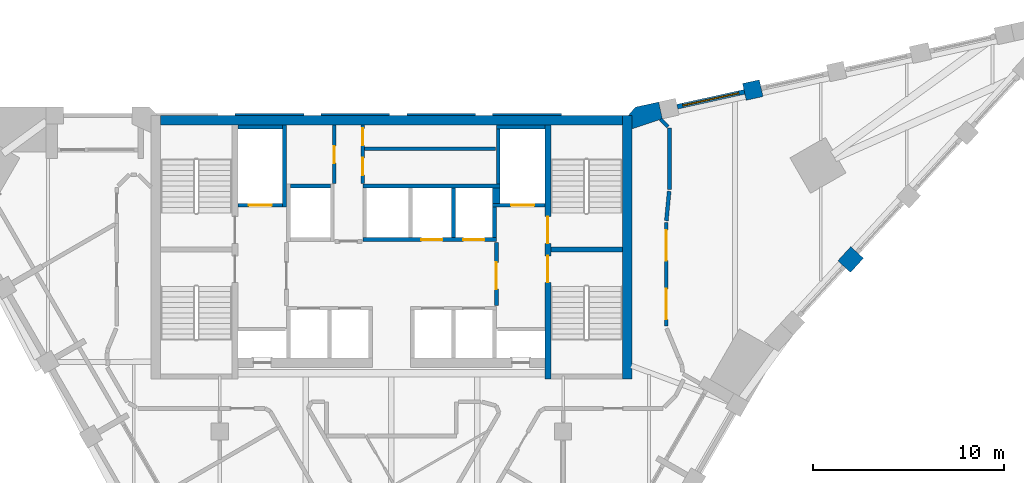
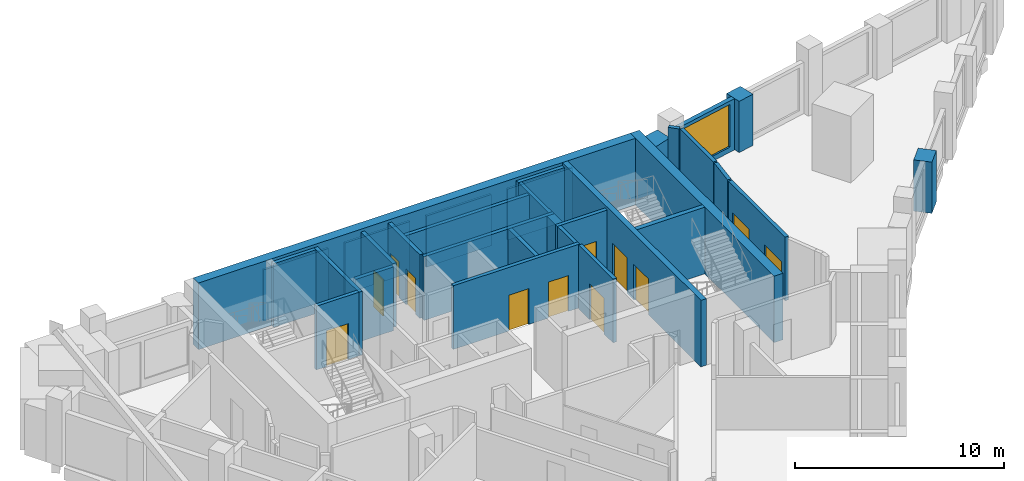
# One storey, part 6 of 8: 32 walls, 12 doors, 1 window, 13 openings.
"""IFC4 building model written with IfcOpenShell, lengths in metres."""

import ifcopenshell
import ifcopenshell.guid

model = None  # the IFC model being written
_history = None  # IfcOwnerHistory: only IFC2X3 demands one
_inside = {}  # id of a spatial element -> (the spatial element, [elements in it])
_under = {}  # id of a project, library or spatial element -> (it, [spatial elements below it])
_declared = {}  # id of a project -> (the project, [libraries it declares])
_typed = {}  # id of a type object -> (the type object, [elements of that type])
_made_of = {}  # id of a material, layer set ... -> (it, [elements and type objects made of it])


def new_model(schema):
    """Start an empty IFC model of exactly this schema.

    Asked for "IFC4X3", IfcOpenShell would pick the latest addendum, in which some entities
    have other attributes; the version numbers below select the first issue.
    IFC2X3 requires an IfcOwnerHistory on every rooted entity: one is made here for all.
    """
    global model, _history
    if schema == "IFC4X3":
        model = ifcopenshell.file(schema_version=(4, 3, 0, 0))
    else:
        model = ifcopenshell.file(schema=schema)
    _inside.clear()
    _under.clear()
    _declared.clear()
    _typed.clear()
    _made_of.clear()
    _history = None
    if model.schema == "IFC2X3":
        org = make("IfcOrganization", Name="unknown")
        user = make(
            "IfcPersonAndOrganization",
            ThePerson=make("IfcPerson", FamilyName="unknown"),
            TheOrganization=org,
        )
        app = make(
            "IfcApplication",
            ApplicationDeveloper=org,
            Version="unknown",
            ApplicationFullName="unknown",
            ApplicationIdentifier="unknown",
        )
        _history = make(
            "IfcOwnerHistory",
            OwningUser=user,
            OwningApplication=app,
            ChangeAction="ADDED",
            CreationDate=0,
        )
    return model


def make(cls, **values):
    """One entity of the class cls with the attributes given. An attribute that is None is left unset."""
    return model.create_entity(
        cls, **{name: value for name, value in values.items() if value is not None}
    )


def rooted(cls, **values):
    """An entity with a GlobalId (a new one), such as an element, a storey or a relation."""
    return make(cls, GlobalId=ifcopenshell.guid.new(), OwnerHistory=_history, **values)


def si_unit(unit_type, name, prefix=None):
    """IfcSIUnit, for example si_unit("LENGTHUNIT", "METRE", prefix="MILLI")."""
    return make("IfcSIUnit", UnitType=unit_type, Prefix=prefix, Name=name)


def assignment(units):
    """IfcUnitAssignment: the units of a project."""
    return None if units is None else make("IfcUnitAssignment", Units=units)


def point(xyz):
    """IfcCartesianPoint."""
    return None if xyz is None else make("IfcCartesianPoint", Coordinates=xyz)


def direction(xyz):
    """IfcDirection."""
    return None if xyz is None else make("IfcDirection", DirectionRatios=xyz)


def frame(location, z_axis=None, x_axis=None):
    """IfcAxis2Placement3D, a coordinate frame: its origin and axes. An axis left out is left unset."""
    return make(
        "IfcAxis2Placement3D",
        Location=point(location),
        Axis=direction(z_axis),
        RefDirection=direction(x_axis),
    )


def frame_2d(location, x_axis=None):
    """IfcAxis2Placement2D, a coordinate frame in the plane: its origin and x axis."""
    return make(
        "IfcAxis2Placement2D", Location=point(location), RefDirection=direction(x_axis)
    )


def origin():
    """The frame at (0, 0, 0) with its axes left unset."""
    return frame((0.0, 0.0, 0.0))


def place(relative_to, where):
    """IfcLocalPlacement: puts the frame where relative to a parent placement (None: the world)."""
    return make(
        "IfcLocalPlacement", PlacementRelTo=relative_to, RelativePlacement=where
    )


def context(
    kind, dimensions, precision=None, world=None, true_north=None, identifier=None
):
    """IfcGeometricRepresentationContext, for example the 3D "Model" context."""
    return make(
        "IfcGeometricRepresentationContext",
        ContextIdentifier=identifier,
        ContextType=kind,
        CoordinateSpaceDimension=dimensions,
        Precision=precision,
        WorldCoordinateSystem=world,
        TrueNorth=true_north,
    )


def subcontext(parent, identifier, kind, view, scale=None):
    """IfcGeometricRepresentationSubContext, for example "Body" below "Model"."""
    return make(
        "IfcGeometricRepresentationSubContext",
        ContextIdentifier=identifier,
        ContextType=kind,
        ParentContext=parent,
        TargetScale=scale,
        TargetView=view,
    )


def project(units=None, contexts=None):
    """IfcProject with its units and contexts."""
    return rooted(
        "IfcProject",
        Name="project",
        RepresentationContexts=contexts,
        UnitsInContext=assignment(units),
    )


def spatial(cls, under=None, at=None, **own):
    """A site, building, storey or space (cls), placed at a placement, below another one or the project."""
    s = rooted(cls, ObjectPlacement=at, **own)
    if under is not None:
        _under.setdefault(under.id(), (under, []))[1].append(s)
    return s


def polyline(points):
    """IfcPolyline through the points."""
    return make("IfcPolyline", Points=[point(p) for p in points])


def profile(cls, at=None, kind="AREA", **sizes):
    """A parametric profile (cls). Its sizes go by their IFC names, for example OverallWidth=200.0."""
    return make(cls, ProfileType=kind, Position=at, **sizes)


def rectangle(**sizes):
    """IfcRectangleProfileDef."""
    return profile("IfcRectangleProfileDef", **sizes)


def outline(outer, holes=None, kind="AREA"):
    """IfcArbitraryClosedProfileDef: a profile drawn as a closed curve; with holes, ...WithVoids."""
    if holes is None:
        return make("IfcArbitraryClosedProfileDef", ProfileType=kind, OuterCurve=outer)
    return make(
        "IfcArbitraryProfileDefWithVoids",
        ProfileType=kind,
        OuterCurve=outer,
        InnerCurves=holes,
    )


def extrude(swept, where, along, depth):
    """IfcExtrudedAreaSolid: the profile swept, set in the frame where, extruded along a direction by depth."""
    return make(
        "IfcExtrudedAreaSolid",
        SweptArea=swept,
        Position=where,
        ExtrudedDirection=direction(along),
        Depth=depth,
    )


def shape(context_of_items, identifier, shape_type, items):
    """IfcShapeRepresentation: the items that make up one representation, for example the "Body"."""
    return make(
        "IfcShapeRepresentation",
        ContextOfItems=context_of_items,
        RepresentationIdentifier=identifier,
        RepresentationType=shape_type,
        Items=items,
    )


def material(Name=None, Category=None):
    """IfcMaterial."""
    return make("IfcMaterial", Name=Name, Category=Category)


def layer(
    of_material, thickness, ventilated=None, Name=None, Category=None, Priority=None
):
    """IfcMaterialLayer: one layer of a wall or slab, of a material (None: an air gap)."""
    return make(
        "IfcMaterialLayer",
        Material=of_material,
        LayerThickness=thickness,
        IsVentilated=ventilated,
        Name=Name,
        Category=Category,
        Priority=Priority,
    )


def layer_set(layers, Name=None):
    """IfcMaterialLayerSet."""
    return make("IfcMaterialLayerSet", MaterialLayers=layers, LayerSetName=Name)


def made_of(thing, what):
    """Note that an element or type object is made of a material, layer set ...; save() writes the relation."""
    if what is not None:
        _made_of.setdefault(what.id(), (what, []))[1].append(thing)
    return thing


def type_object(cls, material=None, **own):
    """A type object (cls), such as IfcWallType, which elements share."""
    return made_of(rooted(cls, **own), material)


def element(
    cls,
    number,
    at=None,
    inside=None,
    cuts=None,
    type_object=None,
    material=None,
    context=None,
    identifier="Body",
    shape_type=None,
    held_by="IfcProductDefinitionShape",
    body=None,
    shapes=None,
    **own,
):
    """One element of the class cls, such as IfcWall. Its Tag is "e" and its number.

    at: its placement. inside: the storey or other place that contains it. cuts: it is an
    opening in that element (IfcRelVoidsElement). A single representation is given by context,
    identifier, shape_type and body (its items); several are given by shapes. held_by: the class
    of the entity that holds the representations. save() writes the other relations.
    """
    e = rooted(cls, Tag="e%d" % number, ObjectPlacement=at, **own)
    if body is not None:
        shapes = [shape(context, identifier, shape_type, body)]
    if shapes is not None:
        e.Representation = make(held_by, Representations=shapes)
    if inside is not None:
        _inside.setdefault(inside.id(), (inside, []))[1].append(e)
    if cuts is not None:
        rooted(
            "IfcRelVoidsElement", RelatingBuildingElement=cuts, RelatedOpeningElement=e
        )
    if type_object is not None:
        _typed.setdefault(type_object.id(), (type_object, []))[1].append(e)
    return made_of(e, material)


def fill(opening, filler):
    """IfcRelFillsElement: the door or window that sits in an opening."""
    return rooted(
        "IfcRelFillsElement",
        RelatingOpeningElement=opening,
        RelatedBuildingElement=filler,
    )


def aggregate(whole, parts):
    """IfcRelAggregates: a whole, such as a stair, and the parts it consists of."""
    return rooted("IfcRelAggregates", RelatingObject=whole, RelatedObjects=parts)


def save(model, path):
    """Write the relations noted so far, then the file.

    IfcRelAggregates (storeys below a building ...), IfcRelContainedInSpatialStructure (elements
    in a storey), IfcRelDefinesByType, IfcRelAssociatesMaterial and IfcRelDeclares: one each for
    every whole, place, type object, material and project.
    """
    for whole, parts in _under.values():
        aggregate(whole, parts)
    for where, things in _inside.values():
        rooted(
            "IfcRelContainedInSpatialStructure",
            RelatedElements=things,
            RelatingStructure=where,
        )
    for kind, things in _typed.values():
        rooted("IfcRelDefinesByType", RelatedObjects=things, RelatingType=kind)
    for what, things in _made_of.values():
        rooted("IfcRelAssociatesMaterial", RelatedObjects=things, RelatingMaterial=what)
    for by, libraries in _declared.values():
        rooted("IfcRelDeclares", RelatingContext=by, RelatedDefinitions=libraries)
    model.write(path)


model = new_model("IFC4")

# Units and contexts
model_context = context("Model", 3, precision=1e-05, world=origin(), true_north=direction((0.0, 1.0)))
body_context = subcontext(model_context, "Body", "Model", "MODEL_VIEW")
ifc_project = project(units=[si_unit("LENGTHUNIT", "METRE"), si_unit("AREAUNIT", "SQUARE_METRE"), si_unit("VOLUMEUNIT", "CUBIC_METRE"), si_unit("PLANEANGLEUNIT", "RADIAN"), si_unit("MASSUNIT", "GRAM", prefix="KILO")], contexts=[model_context])

# Site, building, storey
site_placement = place(None, origin())
site = spatial("IfcSite", under=ifc_project, at=site_placement, CompositionType="ELEMENT")
building_placement = place(site_placement, origin())
building = spatial("IfcBuilding", under=site, at=building_placement, Name="Calabash Gate Tower", CompositionType="ELEMENT")
storey_placement = place(building_placement, frame((0.0, 0.0, 279.39990234375)))
storey = spatial("IfcBuildingStorey", under=building, at=storey_placement, Name="L67", CompositionType="ELEMENT", Elevation=279.39990234375)

# Walls
ifc_material_1 = material(Name="Terracotta brick masonry, exposed face", Category="masonry")
ifc_layer_1 = layer(ifc_material_1, 0.89990234375)
ifc_layer_set_1 = layer_set([ifc_layer_1], Name="Brick end wall 900")
wall_type_1 = type_object("IfcWallType", Name="Brick end wall 900", PredefinedType="SOLIDWALL", material=ifc_layer_set_1)
wall_1_placement = place(storey_placement, frame((23.728515625, 11.135009765625, 0.0), z_axis=(0.0, 0.0, 1.0), x_axis=(0.674788120713, 0.738011512203, 0.0)))
element("IfcWall", 1, at=wall_1_placement, inside=storey, type_object=wall_type_1, Name="Brick pier S20 wedge3.1", PredefinedType="SOLIDWALL", context=body_context, shape_type="SweptSolid", body=[
    extrude(rectangle(XDim=1.00390625, YDim=0.89990234375, at=frame_2d((0.501953125, 0.0))), origin(), (0.0, 0.0, 1.0), 3.0),
])
wall_2_placement = place(storey_placement, frame((18.4990234375, 20.2919921875, 0.0), z_axis=(0.0, 0.0, 1.0), x_axis=(0.976473402733, 0.215637876437, 0.0)))
element("IfcWall", 2, at=wall_2_placement, inside=storey, type_object=wall_type_1, Name="Brick pier S20 wedge5.3", PredefinedType="SOLIDWALL", context=body_context, shape_type="SweptSolid", body=[
    extrude(rectangle(XDim=0.900146484375, YDim=0.89990234375, at=frame_2d((0.4501953125, 0.0))), origin(), (0.0, 0.0, 1.0), 3.0),
])
wall_3_placement = place(storey_placement, origin())
element("IfcWall", 3, at=wall_3_placement, inside=storey, type_object=wall_type_1, Name="Brick end wall S20 3", PredefinedType="SOLIDWALL", context=body_context, shape_type="SweptSolid", body=[
    extrude(outline(polyline([(14.201416015625, 18.883056640625), (14.0078125, 19.761962890625), (12.784423828125, 19.491943359375), (12.410400390625, 19.052490234375), (12.60009765625, 19.052490234375), (12.60009765625, 18.351806640625), (14.201416015625, 18.883056640625)])), origin(), (0.0, 0.0, 1.0), 3.0),
])
ifc_material_2 = material(Name="Concrete C60/75", Category="concrete")
ifc_layer_2 = layer(ifc_material_2, 0.25)
ifc_layer_set_2 = layer_set([ifc_layer_2], Name="Core wall 250 Concrete C60/75")
wall_type_2 = type_object("IfcWallType", Name="Core wall 250 Concrete C60/75", PredefinedType="SHEAR", material=ifc_layer_set_2)
wall_4_placement = place(storey_placement, frame((8.35009765625, 12.027587890625, 0.0), z_axis=(0.0, 0.0, 1.0), x_axis=(1.0, 0.0, 0.0)))
element("IfcWall", 4, at=wall_4_placement, inside=storey, type_object=wall_type_2, Name="Core wall Z5-MIDE L67", PredefinedType="SHEAR", context=body_context, shape_type="SweptSolid", body=[
    extrude(rectangle(XDim=3.75, YDim=0.25, at=frame_2d((1.875, 0.0))), origin(), (0.0, 0.0, 1.0), 3.900146484375),
])

# Wall, openings, doors
ifc_material_3 = material(Name="Concrete C60/75", Category="concrete")
ifc_layer_3 = layer(ifc_material_3, 0.300048828125)
ifc_layer_set_3 = layer_set([ifc_layer_3], Name="Core wall 300 Concrete C60/75")
wall_type_3 = type_object("IfcWallType", Name="Core wall 300 Concrete C60/75", PredefinedType="SHEAR", material=ifc_layer_set_3)
wall_5_placement = place(storey_placement, frame((8.199951171875, 5.252685546875, 0.0), z_axis=(0.0, 0.0, 1.0), x_axis=(0.0, 1.0, 0.0)))
wall_5 = element("IfcWall", 5, at=wall_5_placement, inside=storey, type_object=wall_type_3, Name="Core wall Z5-PARTE L67", PredefinedType="SHEAR", context=body_context, shape_type="SweptSolid", body=[
    extrude(rectangle(XDim=13.2998046875, YDim=0.300048828125, at=frame_2d((6.64990234375, 0.0))), origin(), (0.0, 0.0, 1.0), 3.900146484375),
])
opening_1_placement = place(wall_5_placement, frame((7.10009765625, 0.0, 0.0)))
opening_1 = element("IfcOpeningElement", 6, at=opening_1_placement, cuts=wall_5, Name="Opening O12-011", PredefinedType="OPENING", context=body_context, shape_type="SweptSolid", body=[
    extrude(rectangle(XDim=1.39990234375, YDim=2.10009765625, at=frame_2d((0.699951171875, 1.050048828125))), frame((0.0, 0.159912109375, 0.0), z_axis=(0.0, -1.0, 0.0), x_axis=(1.0, 0.0, 0.0)), (0.0, 0.0, 1.0), 0.320068359375),
])
opening_2_placement = place(wall_5_placement, frame((5.050048828125, 0.0, 0.0)))
opening_2 = element("IfcOpeningElement", 7, at=opening_2_placement, cuts=wall_5, Name="Opening O12-012", PredefinedType="OPENING", context=body_context, shape_type="SweptSolid", body=[
    extrude(rectangle(XDim=1.39990234375, YDim=2.10009765625, at=frame_2d((0.699951171875, 1.050048828125))), frame((0.0, 0.159912109375, 0.0), z_axis=(0.0, -1.0, 0.0), x_axis=(1.0, 0.0, 0.0)), (0.0, 0.0, 1.0), 0.320068359375),
])
ifc_material_4 = material(Name="Steel fire door set with fire-resisting glazing", Category="steel")
door_type_1 = type_object("IfcDoorType", Name="Fire door D05 1400x2100 FD90", OperationType="NOTDEFINED", PredefinedType="DOOR", material=ifc_material_4)
door_1_placement = place(opening_1_placement, origin())
door_1 = element("IfcDoor", 8, at=door_1_placement, inside=storey, type_object=door_type_1, Name="Exit stair door ST3", OperationType="SINGLE_SWING_RIGHT", OverallHeight=2.10009765625, OverallWidth=1.39990234375, PredefinedType="DOOR", context=body_context, shape_type="SweptSolid", body=[
    extrude(rectangle(XDim=1.39990234375, YDim=2.10009765625, at=frame_2d((0.699951171875, 1.050048828125))), frame((0.0, 0.02490234375, 0.0), z_axis=(0.0, -1.0, 0.0), x_axis=(1.0, 0.0, 0.0)), (0.0, 0.0, 1.0), 0.050048828125),
])
fill(opening_1, door_1)
door_2_placement = place(opening_2_placement, origin())
door_2 = element("IfcDoor", 9, at=door_2_placement, inside=storey, type_object=door_type_1, Name="Exit stair door ST4", OperationType="SINGLE_SWING_LEFT", OverallHeight=2.10009765625, OverallWidth=1.39990234375, PredefinedType="DOOR", context=body_context, shape_type="SweptSolid", body=[
    extrude(rectangle(XDim=1.39990234375, YDim=2.10009765625, at=frame_2d((0.699951171875, 1.050048828125))), frame((0.0, 0.02490234375, 0.0), z_axis=(0.0, -1.0, 0.0), x_axis=(1.0, 0.0, 0.0)), (0.0, 0.0, 1.0), 0.050048828125),
])
fill(opening_2, door_2)

# Walls
ifc_material_5 = material(Name="Concrete C60/75", Category="concrete")
ifc_layer_4 = layer(ifc_material_5, 0.5)
ifc_layer_set_4 = layer_set([ifc_layer_4], Name="Core wall 500 Concrete C60/75")
wall_type_4 = type_object("IfcWallType", Name="Core wall 500 Concrete C60/75", PredefinedType="SHEAR", material=ifc_layer_set_4)
wall_6_placement = place(storey_placement, frame((-12.10009765625, 18.802490234375, 0.0), z_axis=(0.0, 0.0, 1.0), x_axis=(1.0, 0.0, 0.0)))
element("IfcWall", 10, at=wall_6_placement, inside=storey, type_object=wall_type_4, Name="Core wall Z5-N L67", PredefinedType="SHEAR", context=body_context, shape_type="SweptSolid", body=[
    extrude(rectangle(XDim=24.2001953125, YDim=0.5, at=frame_2d((12.10009765625, 0.0))), origin(), (0.0, 0.0, 1.0), 3.900146484375),
])
wall_7_placement = place(storey_placement, frame((12.35009765625, 5.252685546875, 0.0), z_axis=(0.0, 0.0, 1.0), x_axis=(0.0, 1.0, 0.0)))
element("IfcWall", 11, at=wall_7_placement, inside=storey, type_object=wall_type_4, Name="Core wall Z5-COLE L67", PredefinedType="SHEAR", context=body_context, shape_type="SweptSolid", body=[
    extrude(rectangle(XDim=13.7998046875, YDim=0.5, at=frame_2d((6.89990234375, 0.0))), origin(), (0.0, 0.0, 1.0), 3.900146484375),
])

# Wall, openings, doors
ifc_material_6 = material(Name="Gypsum board on steel studs, mineral wool", Category="steel")
ifc_layer_5 = layer(ifc_material_6, 0.199951171875)
ifc_layer_set_5 = layer_set([ifc_layer_5], Name="Partition 200 gypsum board EI 60")
wall_type_5 = type_object("IfcWallType", Name="Partition 200 gypsum board EI 60", PredefinedType="PARTITIONING", material=ifc_layer_set_5)
wall_8_placement = place(storey_placement, frame((14.400390625, 8.017333984375, 0.0), z_axis=(0.0, 0.0, 1.0), x_axis=(0.0, 1.0, 0.0)))
wall_8 = element("IfcWall", 12, at=wall_8_placement, inside=storey, type_object=wall_type_5, Name="Partition", PredefinedType="PARTITIONING", context=body_context, shape_type="SweptSolid", body=[
    extrude(rectangle(XDim=5.419189453125, YDim=0.199951171875, at=frame_2d((2.70947265625, 0.0))), origin(), (0.0, 0.0, 1.0), 3.72998046875),
])
opening_3_placement = place(wall_8_placement, frame((3.435302734375, 0.0, 0.0)))
opening_3 = element("IfcOpeningElement", 13, at=opening_3_placement, cuts=wall_8, Name="Opening 67-68-006", PredefinedType="OPENING", context=body_context, shape_type="SweptSolid", body=[
    extrude(rectangle(XDim=1.60009765625, YDim=2.10009765625, at=frame_2d((0.800048828125, 1.050048828125))), frame((0.0, 0.10986328125, 0.0), z_axis=(0.0, -1.0, 0.0), x_axis=(1.0, 0.0, 0.0)), (0.0, 0.0, 1.0), 0.219970703125),
])
opening_4_placement = place(wall_8_placement, frame((0.35009765625, 0.0, 0.0)))
opening_4 = element("IfcOpeningElement", 14, at=opening_4_placement, cuts=wall_8, Name="Opening 67-68-007", PredefinedType="OPENING", context=body_context, shape_type="SweptSolid", body=[
    extrude(rectangle(XDim=1.60009765625, YDim=2.10009765625, at=frame_2d((0.800048828125, 1.050048828125))), frame((0.0, 0.10986328125, 0.0), z_axis=(0.0, -1.0, 0.0), x_axis=(1.0, 0.0, 0.0)), (0.0, 0.0, 1.0), 0.219970703125),
])
ifc_material_7 = material(Name="Steel fire door set with fire-resisting glazing", Category="steel")
door_type_2 = type_object("IfcDoorType", Name="LD1 Lounge double door 1600x2100", OperationType="NOTDEFINED", PredefinedType="DOOR", material=ifc_material_7)
door_3_placement = place(opening_3_placement, origin())
door_3 = element("IfcDoor", 15, at=door_3_placement, inside=storey, type_object=door_type_2, Name="Lounge double door", OperationType="DOUBLE_DOOR_SINGLE_SWING", OverallHeight=2.10009765625, OverallWidth=1.60009765625, PredefinedType="DOOR", context=body_context, shape_type="SweptSolid", body=[
    extrude(rectangle(XDim=1.60009765625, YDim=2.10009765625, at=frame_2d((0.800048828125, 1.050048828125))), frame((0.0, 0.02490234375, 0.0), z_axis=(0.0, -1.0, 0.0), x_axis=(1.0, 0.0, 0.0)), (0.0, 0.0, 1.0), 0.050048828125),
])
fill(opening_3, door_3)
door_4_placement = place(opening_4_placement, origin())
door_4 = element("IfcDoor", 16, at=door_4_placement, inside=storey, type_object=door_type_2, Name="Lounge double door", OperationType="DOUBLE_DOOR_SINGLE_SWING", OverallHeight=2.10009765625, OverallWidth=1.60009765625, PredefinedType="DOOR", context=body_context, shape_type="SweptSolid", body=[
    extrude(rectangle(XDim=1.60009765625, YDim=2.10009765625, at=frame_2d((0.800048828125, 1.050048828125))), frame((0.0, 0.02490234375, 0.0), z_axis=(0.0, -1.0, 0.0), x_axis=(1.0, 0.0, 0.0)), (0.0, 0.0, 1.0), 0.050048828125),
])
fill(opening_4, door_4)

# Walls
wall_9_placement = place(storey_placement, frame((14.409912109375, 13.5361328125, 0.0), z_axis=(0.0, 0.0, 1.0), x_axis=(0.094453682086, 0.9955292572, 0.0)))
element("IfcWall", 17, at=wall_9_placement, inside=storey, type_object=wall_type_5, Name="Partition", PredefinedType="PARTITIONING", context=body_context, shape_type="SweptSolid", body=[
    extrude(rectangle(XDim=1.555908203125, YDim=0.199951171875, at=frame_2d((0.77783203125, 0.0))), origin(), (0.0, 0.0, 1.0), 3.72998046875),
])
wall_10_placement = place(storey_placement, frame((14.566162109375, 18.392578125, 0.0), z_axis=(0.0, 0.0, 1.0), x_axis=(0.0, -1.0, 0.0)))
element("IfcWall", 18, at=wall_10_placement, inside=storey, type_object=wall_type_5, Name="Partition", PredefinedType="PARTITIONING", context=body_context, shape_type="SweptSolid", body=[
    extrude(rectangle(XDim=3.2080078125, YDim=0.199951171875, at=frame_2d((1.60400390625, 0.0))), origin(), (0.0, 0.0, 1.0), 3.72998046875),
])
wall_11_placement = place(storey_placement, frame((14.107177734375, 18.851806640625, 0.0), z_axis=(0.0, 0.0, 1.0), x_axis=(0.707106781187, -0.707106781187, 0.0)))
element("IfcWall", 19, at=wall_11_placement, inside=storey, type_object=wall_type_5, Name="Partition", PredefinedType="PARTITIONING", context=body_context, shape_type="SweptSolid", body=[
    extrude(rectangle(XDim=0.54931640625, YDim=0.199951171875, at=frame_2d((0.274658203125, 0.0))), origin(), (0.0, 0.0, 1.0), 3.72998046875),
])

# Wall, opening, window
ifc_material_8 = material(Name="Aluminium framed window wall with insulated spandrel", Category="aluminium")
ifc_layer_6 = layer(ifc_material_8, 0.25)
ifc_layer_set_6 = layer_set([ifc_layer_6], Name="Prow window wall 250")
wall_type_6 = type_object("IfcWallType", Name="Prow window wall 250", PredefinedType="ELEMENTEDWALL", material=ifc_layer_set_6)
wall_12_placement = place(storey_placement, frame((18.4990234375, 20.2919921875, 0.0), z_axis=(0.0, 0.0, 1.0), x_axis=(-0.976513072969, -0.215458159096, 0.0)))
wall_12 = element("IfcWall", 20, at=wall_12_placement, inside=storey, type_object=wall_type_6, Name="Prow window wall S20 wedge5.4", PredefinedType="ELEMENTEDWALL", context=body_context, shape_type="SweptSolid", body=[
    extrude(rectangle(XDim=3.599853515625, YDim=0.25, at=frame_2d((1.7998046875, 0.0))), origin(), (0.0, 0.0, 1.0), 3.0),
])
opening_5_placement = place(wall_12_placement, frame((0.300048828125, 0.0, 0.300048828125)))
opening_5 = element("IfcOpeningElement", 21, at=opening_5_placement, cuts=wall_12, Name="Opening WP2", PredefinedType="OPENING", context=body_context, shape_type="SweptSolid", body=[
    extrude(rectangle(XDim=3.0, YDim=2.5, at=frame_2d((1.5, 1.25))), frame((0.0, 0.135009765625, 0.0), z_axis=(0.0, -1.0, 0.0), x_axis=(1.0, 0.0, 0.0)), (0.0, 0.0, 1.0), 0.27001953125),
])
ifc_material_9 = material(Name="Anodised aluminium frame, bronze finish, impact-rated laminated clear glazing", Category="aluminium")
window_type = type_object("IfcWindowType", Name="Window WP2 3000x2500", PartitioningType="DOUBLE_PANEL_VERTICAL", PredefinedType="WINDOW", material=ifc_material_9)
window_placement = place(opening_5_placement, origin())
window = element("IfcWindow", 22, at=window_placement, inside=storey, type_object=window_type, Name="Prow window WP2 S20 wedge5.4", OverallHeight=2.5, OverallWidth=3.0, PartitioningType="SINGLE_PANEL", PredefinedType="WINDOW", context=body_context, shape_type="SweptSolid", body=[
    extrude(rectangle(XDim=3.0, YDim=2.5, at=frame_2d((1.5, 1.25))), frame((0.0, 0.030029296875, 0.0), z_axis=(0.0, -1.0, 0.0), x_axis=(1.0, 0.0, 0.0)), (0.0, 0.0, 1.0), 0.06005859375),
])
fill(opening_5, window)

# Wall, opening, door
ifc_material_10 = material(Name="Concrete C40/50", Category="concrete")
ifc_layer_7 = layer(ifc_material_10, 0.199951171875)
ifc_layer_set_7 = layer_set([ifc_layer_7], Name="Shaft wall 200 Concrete C40/50")
wall_type_7 = type_object("IfcWallType", Name="Shaft wall 200 Concrete C40/50", PredefinedType="SOLIDWALL", material=ifc_layer_set_7)
wall_13_placement = place(storey_placement, frame((5.5, 9.1025390625, 0.0), z_axis=(0.0, 0.0, 1.0), x_axis=(0.0, 1.0, 0.0)))
wall_13 = element("IfcWall", 23, at=wall_13_placement, inside=storey, type_object=wall_type_7, Name="Shaft wall", PredefinedType="SOLIDWALL", context=body_context, shape_type="SweptSolid", body=[
    extrude(rectangle(XDim=3.300048828125, YDim=0.199951171875, at=frame_2d((1.64990234375, 0.0))), origin(), (0.0, 0.0, 1.0), 3.72998046875),
])
opening_6_placement = place(wall_13_placement, frame((0.85009765625, 0.0, 0.0)))
opening_6 = element("IfcOpeningElement", 24, at=opening_6_placement, cuts=wall_13, Name="Opening O12-002", PredefinedType="OPENING", context=body_context, shape_type="SweptSolid", body=[
    extrude(rectangle(XDim=1.39990234375, YDim=2.10009765625, at=frame_2d((0.699951171875, 1.050048828125))), frame((0.0, 0.10986328125, 0.0), z_axis=(0.0, -1.0, 0.0), x_axis=(1.0, 0.0, 0.0)), (0.0, 0.0, 1.0), 0.219970703125),
])
door_5_placement = place(opening_6_placement, origin())
door_5 = element("IfcDoor", 25, at=door_5_placement, inside=storey, type_object=door_type_1, Name="Firefighting Lobby E door", OperationType="SINGLE_SWING_LEFT", OverallHeight=2.10009765625, OverallWidth=1.39990234375, PredefinedType="DOOR", context=body_context, shape_type="SweptSolid", body=[
    extrude(rectangle(XDim=1.39990234375, YDim=2.10009765625, at=frame_2d((0.699951171875, 1.050048828125))), frame((0.0, 0.02490234375, 0.0), z_axis=(0.0, -1.0, 0.0), x_axis=(1.0, 0.0, 0.0)), (0.0, 0.0, 1.0), 0.050048828125),
])
fill(opening_6, door_5)

# Wall, openings, doors
wall_14_placement = place(storey_placement, frame((-1.5, 12.552490234375, 0.0), z_axis=(0.0, 0.0, 1.0), x_axis=(1.0, 0.0, 0.0)))
wall_14 = element("IfcWall", 26, at=wall_14_placement, inside=storey, type_object=wall_type_7, Name="Shaft wall", PredefinedType="SOLIDWALL", context=body_context, shape_type="SweptSolid", body=[
    extrude(rectangle(XDim=7.0, YDim=0.199951171875, at=frame_2d((3.5, 0.0))), origin(), (0.0, 0.0, 1.0), 3.72998046875),
])
opening_7_placement = place(wall_14_placement, frame((3.074951171875, 0.0, 0.0)))
opening_7 = element("IfcOpeningElement", 27, at=opening_7_placement, cuts=wall_14, Name="Opening LD-HR5", PredefinedType="OPENING", context=body_context, shape_type="SweptSolid", body=[
    extrude(rectangle(XDim=1.10009765625, YDim=2.10009765625, at=frame_2d((0.550048828125, 1.050048828125))), frame((0.0, 0.10986328125, 0.0), z_axis=(0.0, -1.0, 0.0), x_axis=(1.0, 0.0, 0.0)), (0.0, 0.0, 1.0), 0.219970703125),
])
opening_8_placement = place(wall_14_placement, frame((5.27490234375, 0.0, 0.0)))
opening_8 = element("IfcOpeningElement", 28, at=opening_8_placement, cuts=wall_14, Name="Opening LD-HR6", PredefinedType="OPENING", context=body_context, shape_type="SweptSolid", body=[
    extrude(rectangle(XDim=1.10009765625, YDim=2.10009765625, at=frame_2d((0.550048828125, 1.050048828125))), frame((0.0, 0.10986328125, 0.0), z_axis=(0.0, -1.0, 0.0), x_axis=(1.0, 0.0, 0.0)), (0.0, 0.0, 1.0), 0.219970703125),
])
ifc_material_11 = material(Name="Stainless steel sliding door leaves", Category="steel")
door_type_3 = type_object("IfcDoorType", Name="Lift landing door LS1 1100x2100 FD90", OperationType="DOUBLE_DOOR_SLIDING", PredefinedType="DOOR", material=ifc_material_11)
door_6_placement = place(opening_7_placement, origin())
door_6 = element("IfcDoor", 29, at=door_6_placement, inside=storey, type_object=door_type_3, Name="Lift landing door HR5", OperationType="DOUBLE_DOOR_SLIDING", OverallHeight=2.10009765625, OverallWidth=1.10009765625, PredefinedType="DOOR", context=body_context, shape_type="SweptSolid", body=[
    extrude(rectangle(XDim=1.10009765625, YDim=2.10009765625, at=frame_2d((0.550048828125, 1.050048828125))), frame((0.0, 0.02490234375, 0.0), z_axis=(0.0, -1.0, 0.0), x_axis=(1.0, 0.0, 0.0)), (0.0, 0.0, 1.0), 0.050048828125),
])
fill(opening_7, door_6)
door_7_placement = place(opening_8_placement, origin())
door_7 = element("IfcDoor", 30, at=door_7_placement, inside=storey, type_object=door_type_3, Name="Lift landing door HR6", OperationType="DOUBLE_DOOR_SLIDING", OverallHeight=2.10009765625, OverallWidth=1.10009765625, PredefinedType="DOOR", context=body_context, shape_type="SweptSolid", body=[
    extrude(rectangle(XDim=1.10009765625, YDim=2.10009765625, at=frame_2d((0.550048828125, 1.050048828125))), frame((0.0, 0.02490234375, 0.0), z_axis=(0.0, -1.0, 0.0), x_axis=(1.0, 0.0, 0.0)), (0.0, 0.0, 1.0), 0.050048828125),
])
fill(opening_8, door_7)

# Walls
wall_15_placement = place(storey_placement, frame((3.25, 12.652587890625, 0.0), z_axis=(0.0, 0.0, 1.0), x_axis=(0.0, 1.0, 0.0)))
element("IfcWall", 31, at=wall_15_placement, inside=storey, type_object=wall_type_7, Name="Shaft wall", PredefinedType="SOLIDWALL", context=body_context, shape_type="SweptSolid", body=[
    extrude(rectangle(XDim=2.60009765625, YDim=0.199951171875, at=frame_2d((1.300048828125, 0.0))), origin(), (0.0, 0.0, 1.0), 3.72998046875),
])
wall_16_placement = place(storey_placement, frame((5.39990234375, 12.652587890625, 0.0), z_axis=(0.0, 0.0, 1.0), x_axis=(0.0, 1.0, 0.0)))
element("IfcWall", 32, at=wall_16_placement, inside=storey, type_object=wall_type_7, Name="Shaft wall", PredefinedType="SOLIDWALL", context=body_context, shape_type="SweptSolid", body=[
    extrude(rectangle(XDim=1.60009765625, YDim=0.199951171875, at=frame_2d((0.800048828125, 0.0))), origin(), (0.0, 0.0, 1.0), 3.72998046875),
])

# Wall, opening, door
wall_17_placement = place(storey_placement, frame((-8.050048828125, 14.3525390625, 0.0), z_axis=(0.0, 0.0, 1.0), x_axis=(1.0, 0.0, 0.0)))
wall_17 = element("IfcWall", 33, at=wall_17_placement, inside=storey, type_object=wall_type_7, Name="Shaft wall", PredefinedType="SOLIDWALL", context=body_context, shape_type="SweptSolid", body=[
    extrude(rectangle(XDim=2.35009765625, YDim=0.199951171875, at=frame_2d((1.175048828125, 0.0))), origin(), (0.0, 0.0, 1.0), 3.72998046875),
])
opening_9_placement = place(wall_17_placement, frame((0.574951171875, 0.0, 0.0)))
opening_9 = element("IfcOpeningElement", 34, at=opening_9_placement, cuts=wall_17, Name="Opening LD-FF1", PredefinedType="OPENING", context=body_context, shape_type="SweptSolid", body=[
    extrude(rectangle(XDim=1.199951171875, YDim=2.10009765625, at=frame_2d((0.60009765625, 1.050048828125))), frame((0.0, 0.10986328125, 0.0), z_axis=(0.0, -1.0, 0.0), x_axis=(1.0, 0.0, 0.0)), (0.0, 0.0, 1.0), 0.219970703125),
])
ifc_material_12 = material(Name="Stainless steel sliding door leaves", Category="steel")
door_type_4 = type_object("IfcDoorType", Name="Lift landing door LS3 1200x2100 FD90", OperationType="DOUBLE_DOOR_SLIDING", PredefinedType="DOOR", material=ifc_material_12)
door_8_placement = place(opening_9_placement, origin())
door_8 = element("IfcDoor", 35, at=door_8_placement, inside=storey, type_object=door_type_4, Name="Lift landing door FF1", OperationType="DOUBLE_DOOR_SLIDING", OverallHeight=2.10009765625, OverallWidth=1.199951171875, PredefinedType="DOOR", context=body_context, shape_type="SweptSolid", body=[
    extrude(rectangle(XDim=1.199951171875, YDim=2.10009765625, at=frame_2d((0.60009765625, 1.050048828125))), frame((0.0, 0.02490234375, 0.0), z_axis=(0.0, -1.0, 0.0), x_axis=(1.0, 0.0, 0.0)), (0.0, 0.0, 1.0), 0.050048828125),
])
fill(opening_9, door_8)

# Wall
wall_18_placement = place(storey_placement, frame((-5.60009765625, 14.252685546875, 0.0), z_axis=(0.0, 0.0, 1.0), x_axis=(0.0, 1.0, 0.0)))
element("IfcWall", 36, at=wall_18_placement, inside=storey, type_object=wall_type_7, Name="Shaft wall", PredefinedType="SOLIDWALL", context=body_context, shape_type="SweptSolid", body=[
    extrude(rectangle(XDim=4.2998046875, YDim=0.199951171875, at=frame_2d((2.14990234375, 0.0))), origin(), (0.0, 0.0, 1.0), 3.72998046875),
])

# Wall, opening, door
wall_19_placement = place(storey_placement, frame((5.300048828125, 14.3525390625, 0.0), z_axis=(0.0, 0.0, 1.0), x_axis=(1.0, 0.0, 0.0)))
wall_19 = element("IfcWall", 37, at=wall_19_placement, inside=storey, type_object=wall_type_7, Name="Shaft wall", PredefinedType="SOLIDWALL", context=body_context, shape_type="SweptSolid", body=[
    extrude(rectangle(XDim=2.75, YDim=0.199951171875, at=frame_2d((1.375, 0.0))), origin(), (0.0, 0.0, 1.0), 3.72998046875),
])
opening_10_placement = place(wall_19_placement, frame((0.97509765625, 0.0, 0.0)))
opening_10 = element("IfcOpeningElement", 38, at=opening_10_placement, cuts=wall_19, Name="Opening LD-FF2", PredefinedType="OPENING", context=body_context, shape_type="SweptSolid", body=[
    extrude(rectangle(XDim=1.199951171875, YDim=2.10009765625, at=frame_2d((0.60009765625, 1.050048828125))), frame((0.0, 0.10986328125, 0.0), z_axis=(0.0, -1.0, 0.0), x_axis=(1.0, 0.0, 0.0)), (0.0, 0.0, 1.0), 0.219970703125),
])
door_9_placement = place(opening_10_placement, origin())
door_9 = element("IfcDoor", 39, at=door_9_placement, inside=storey, type_object=door_type_4, Name="Lift landing door FF2", OperationType="DOUBLE_DOOR_SLIDING", OverallHeight=2.10009765625, OverallWidth=1.199951171875, PredefinedType="DOOR", context=body_context, shape_type="SweptSolid", body=[
    extrude(rectangle(XDim=1.199951171875, YDim=2.10009765625, at=frame_2d((0.60009765625, 1.050048828125))), frame((0.0, 0.02490234375, 0.0), z_axis=(0.0, -1.0, 0.0), x_axis=(1.0, 0.0, 0.0)), (0.0, 0.0, 1.0), 0.050048828125),
])
fill(opening_10, door_9)

# Walls
wall_20_placement = place(storey_placement, frame((5.5, 14.45263671875, 0.0), z_axis=(0.0, 0.0, 1.0), x_axis=(0.0, 1.0, 0.0)))
element("IfcWall", 40, at=wall_20_placement, inside=storey, type_object=wall_type_7, Name="Shaft wall", PredefinedType="SOLIDWALL", context=body_context, shape_type="SweptSolid", body=[
    extrude(rectangle(XDim=0.800048828125, YDim=0.39990234375, at=frame_2d((0.39990234375, 0.0))), origin(), (0.0, 0.0, 1.0), 3.72998046875),
])
wall_21_placement = place(storey_placement, frame((-5.300048828125, 15.3525390625, 0.0), z_axis=(0.0, 0.0, 1.0), x_axis=(1.0, 0.0, 0.0)))
element("IfcWall", 41, at=wall_21_placement, inside=storey, type_object=wall_type_7, Name="Shaft wall", PredefinedType="SOLIDWALL", context=body_context, shape_type="SweptSolid", body=[
    extrude(rectangle(XDim=2.10009765625, YDim=0.199951171875, at=frame_2d((1.050048828125, 0.0))), origin(), (0.0, 0.0, 1.0), 3.72998046875),
])
wall_22_placement = place(storey_placement, frame((-1.5, 15.3525390625, 0.0), z_axis=(0.0, 0.0, 1.0), x_axis=(1.0, 0.0, 0.0)))
element("IfcWall", 42, at=wall_22_placement, inside=storey, type_object=wall_type_7, Name="Shaft wall", PredefinedType="SOLIDWALL", context=body_context, shape_type="SweptSolid", body=[
    extrude(rectangle(XDim=7.199951171875, YDim=0.199951171875, at=frame_2d((3.60009765625, 0.0))), origin(), (0.0, 0.0, 1.0), 3.72998046875),
])
wall_23_placement = place(storey_placement, frame((5.60009765625, 15.45263671875, 0.0), z_axis=(0.0, 0.0, 1.0), x_axis=(0.0, 1.0, 0.0)))
element("IfcWall", 43, at=wall_23_placement, inside=storey, type_object=wall_type_7, Name="Shaft wall", PredefinedType="SOLIDWALL", context=body_context, shape_type="SweptSolid", body=[
    extrude(rectangle(XDim=2.89990234375, YDim=0.199951171875, at=frame_2d((1.449951171875, 0.0))), origin(), (0.0, 0.0, 1.0), 3.72998046875),
])

# Wall, opening, door
wall_24_placement = place(storey_placement, frame((-3.0, 15.502685546875, 0.0), z_axis=(0.0, 0.0, 1.0), x_axis=(0.0, 1.0, 0.0)))
wall_24 = element("IfcWall", 44, at=wall_24_placement, inside=storey, type_object=wall_type_7, Name="Shaft wall", PredefinedType="SOLIDWALL", context=body_context, shape_type="SweptSolid", body=[
    extrude(rectangle(XDim=3.0498046875, YDim=0.199951171875, at=frame_2d((1.52490234375, 0.0))), origin(), (0.0, 0.0, 1.0), 3.72998046875),
])
opening_11_placement = place(wall_24_placement, frame((1.050048828125, 0.0, 0.0)))
opening_11 = element("IfcOpeningElement", 45, at=opening_11_placement, cuts=wall_24, Name="Opening O12-004", PredefinedType="OPENING", context=body_context, shape_type="SweptSolid", body=[
    extrude(rectangle(XDim=0.89990234375, YDim=2.10009765625, at=frame_2d((0.449951171875, 1.050048828125))), frame((0.0, 0.10986328125, 0.0), z_axis=(0.0, -1.0, 0.0), x_axis=(1.0, 0.0, 0.0)), (0.0, 0.0, 1.0), 0.219970703125),
])
ifc_material_13 = material(Name="Steel fire door set with fire-resisting glazing", Category="steel")
door_type_5 = type_object("IfcDoorType", Name="Fire door D06 900x2100 FD60", OperationType="NOTDEFINED", PredefinedType="DOOR", material=ifc_material_13)
door_10_placement = place(opening_11_placement, origin())
door_10 = element("IfcDoor", 46, at=door_10_placement, inside=storey, type_object=door_type_5, Name="Accessible WC door", OperationType="SINGLE_SWING_LEFT", OverallHeight=2.10009765625, OverallWidth=0.89990234375, PredefinedType="DOOR", context=body_context, shape_type="SweptSolid", body=[
    extrude(rectangle(XDim=0.89990234375, YDim=2.10009765625, at=frame_2d((0.449951171875, 1.050048828125))), frame((0.0, 0.02490234375, 0.0), z_axis=(0.0, -1.0, 0.0), x_axis=(1.0, 0.0, 0.0)), (0.0, 0.0, 1.0), 0.050048828125),
])
fill(opening_11, door_10)

# Wall, openings, doors
wall_25_placement = place(storey_placement, frame((-1.5, 15.502685546875, 0.0), z_axis=(0.0, 0.0, 1.0), x_axis=(0.0, 1.0, 0.0)))
wall_25 = element("IfcWall", 47, at=wall_25_placement, inside=storey, type_object=wall_type_7, Name="Shaft wall", PredefinedType="SOLIDWALL", context=body_context, shape_type="SweptSolid", body=[
    extrude(rectangle(XDim=3.0498046875, YDim=0.199951171875, at=frame_2d((1.52490234375, 0.0))), origin(), (0.0, 0.0, 1.0), 3.72998046875),
])
opening_12_placement = place(wall_25_placement, frame((0.429931640625, 0.0, 0.0)))
opening_12 = element("IfcOpeningElement", 48, at=opening_12_placement, cuts=wall_25, Name="Opening O12-005", PredefinedType="OPENING", context=body_context, shape_type="SweptSolid", body=[
    extrude(rectangle(XDim=0.89990234375, YDim=2.10009765625, at=frame_2d((0.449951171875, 1.050048828125))), frame((0.0, 0.10986328125, 0.0), z_axis=(0.0, -1.0, 0.0), x_axis=(1.0, 0.0, 0.0)), (0.0, 0.0, 1.0), 0.219970703125),
])
opening_13_placement = place(wall_25_placement, frame((1.97998046875, 0.0, 0.0)))
opening_13 = element("IfcOpeningElement", 49, at=opening_13_placement, cuts=wall_25, Name="Opening O12-006", PredefinedType="OPENING", context=body_context, shape_type="SweptSolid", body=[
    extrude(rectangle(XDim=0.89990234375, YDim=2.10009765625, at=frame_2d((0.449951171875, 1.050048828125))), frame((0.0, 0.10986328125, 0.0), z_axis=(0.0, -1.0, 0.0), x_axis=(1.0, 0.0, 0.0)), (0.0, 0.0, 1.0), 0.219970703125),
])
door_11_placement = place(opening_12_placement, origin())
door_11 = element("IfcDoor", 50, at=door_11_placement, inside=storey, type_object=door_type_5, Name="Tenant Pantry door", OperationType="SINGLE_SWING_LEFT", OverallHeight=2.10009765625, OverallWidth=0.89990234375, PredefinedType="DOOR", context=body_context, shape_type="SweptSolid", body=[
    extrude(rectangle(XDim=0.89990234375, YDim=2.10009765625, at=frame_2d((0.449951171875, 1.050048828125))), frame((0.0, 0.02490234375, 0.0), z_axis=(0.0, -1.0, 0.0), x_axis=(1.0, 0.0, 0.0)), (0.0, 0.0, 1.0), 0.050048828125),
])
fill(opening_12, door_11)
door_12_placement = place(opening_13_placement, origin())
door_12 = element("IfcDoor", 51, at=door_12_placement, inside=storey, type_object=door_type_5, Name="Comms Room door", OperationType="SINGLE_SWING_LEFT", OverallHeight=2.10009765625, OverallWidth=0.89990234375, PredefinedType="DOOR", context=body_context, shape_type="SweptSolid", body=[
    extrude(rectangle(XDim=0.89990234375, YDim=2.10009765625, at=frame_2d((0.449951171875, 1.050048828125))), frame((0.0, 0.02490234375, 0.0), z_axis=(0.0, -1.0, 0.0), x_axis=(1.0, 0.0, 0.0)), (0.0, 0.0, 1.0), 0.050048828125),
])
fill(opening_13, door_12)

# Walls
wall_26_placement = place(storey_placement, frame((-1.39990234375, 17.3125, 0.0), z_axis=(0.0, 0.0, 1.0), x_axis=(1.0, 0.0, 0.0)))
element("IfcWall", 52, at=wall_26_placement, inside=storey, type_object=wall_type_7, Name="Shaft wall", PredefinedType="SOLIDWALL", context=body_context, shape_type="SweptSolid", body=[
    extrude(rectangle(XDim=6.849853515625, YDim=0.199951171875, at=frame_2d((3.4248046875, 0.0))), origin(), (0.0, 0.0, 1.0), 3.72998046875),
])
wall_27_placement = place(storey_placement, frame((-8.050048828125, 18.45263671875, 0.0), z_axis=(0.0, 0.0, 1.0), x_axis=(1.0, 0.0, 0.0)))
element("IfcWall", 53, at=wall_27_placement, inside=storey, type_object=wall_type_7, Name="Shaft wall", PredefinedType="SOLIDWALL", context=body_context, shape_type="SweptSolid", body=[
    extrude(rectangle(XDim=2.35009765625, YDim=0.199951171875, at=frame_2d((1.175048828125, 0.0))), origin(), (0.0, 0.0, 1.0), 3.72998046875),
])
wall_28_placement = place(storey_placement, frame((5.5, 18.45263671875, 0.0), z_axis=(0.0, 0.0, 1.0), x_axis=(1.0, 0.0, 0.0)))
element("IfcWall", 54, at=wall_28_placement, inside=storey, type_object=wall_type_7, Name="Shaft wall", PredefinedType="SOLIDWALL", context=body_context, shape_type="SweptSolid", body=[
    extrude(rectangle(XDim=2.550048828125, YDim=0.199951171875, at=frame_2d((1.27490234375, 0.0))), origin(), (0.0, 0.0, 1.0), 3.72998046875),
])
ifc_material_14 = material(Name="Terracotta brick masonry, perforated", Category="masonry")
ifc_layer_8 = layer(ifc_material_14, 0.1201171875)
ifc_layer_set_8 = layer_set([ifc_layer_8], Name="Terracotta jaali cladding B 120")
wall_type_8 = type_object("IfcWallType", Name="Terracotta jaali cladding B 120", PredefinedType="SOLIDWALL", material=ifc_layer_set_8)
wall_29_placement = place(storey_placement, origin())
element("IfcWall", 55, at=wall_29_placement, inside=storey, type_object=wall_type_8, Name="Jaali cladding S20 N6.1", PredefinedType="SOLIDWALL", context=body_context, shape_type="SweptSolid", body=[
    extrude(outline(polyline([(5.306396484375, 19.172607421875), (5.306396484375, 19.052490234375), (8.906494140625, 19.052490234375), (8.906494140625, 19.172607421875), (5.306396484375, 19.172607421875)])), origin(), (0.0, 0.0, 1.0), 3.0),
])
wall_30_placement = place(storey_placement, origin())
element("IfcWall", 56, at=wall_30_placement, inside=storey, type_object=wall_type_8, Name="Jaali cladding S20 N6.3", PredefinedType="SOLIDWALL", context=body_context, shape_type="SweptSolid", body=[
    extrude(outline(polyline([(-3.693603515625, 19.172607421875), (-3.693603515625, 19.052490234375), (-0.093505859375, 19.052490234375), (-0.093505859375, 19.172607421875), (-3.693603515625, 19.172607421875)])), origin(), (0.0, 0.0, 1.0), 3.0),
])
ifc_material_15 = material(Name="Terracotta louvre blades in an aluminium frame", Category="masonry")
ifc_layer_9 = layer(ifc_material_15, 0.1201171875)
ifc_layer_set_9 = layer_set([ifc_layer_9], Name="Terracotta vent louvre cladding 120")
wall_type_9 = type_object("IfcWallType", Name="Terracotta vent louvre cladding 120", PredefinedType="ELEMENTEDWALL", material=ifc_layer_set_9)
wall_31_placement = place(storey_placement, origin())
element("IfcWall", 57, at=wall_31_placement, inside=storey, type_object=wall_type_9, Name="Vent louvre cladding S20 N6.2", PredefinedType="ELEMENTEDWALL", context=body_context, shape_type="SweptSolid", body=[
    extrude(outline(polyline([(0.806396484375, 19.172607421875), (0.806396484375, 19.052490234375), (4.406494140625, 19.052490234375), (4.406494140625, 19.172607421875), (0.806396484375, 19.172607421875)])), origin(), (0.0, 0.0, 1.0), 3.0),
])
wall_32_placement = place(storey_placement, origin())
element("IfcWall", 58, at=wall_32_placement, inside=storey, type_object=wall_type_9, Name="Vent louvre cladding S20 N6.4", PredefinedType="ELEMENTEDWALL", context=body_context, shape_type="SweptSolid", body=[
    extrude(outline(polyline([(-8.193603515625, 19.172607421875), (-8.193603515625, 19.052490234375), (-4.593505859375, 19.052490234375), (-4.593505859375, 19.172607421875), (-8.193603515625, 19.172607421875)])), origin(), (0.0, 0.0, 1.0), 3.0),
])

save(model, "model.ifc")
